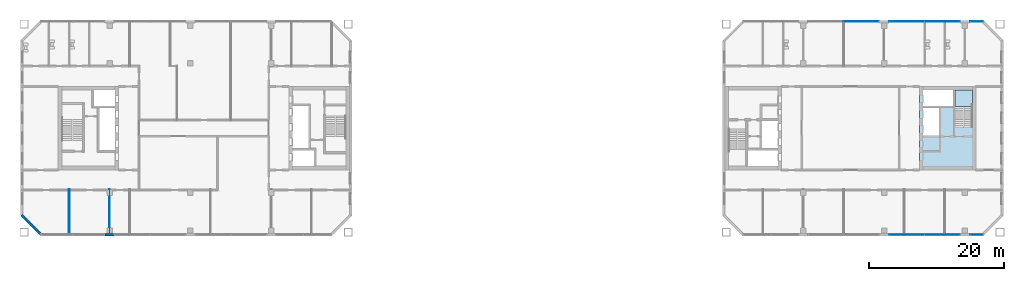
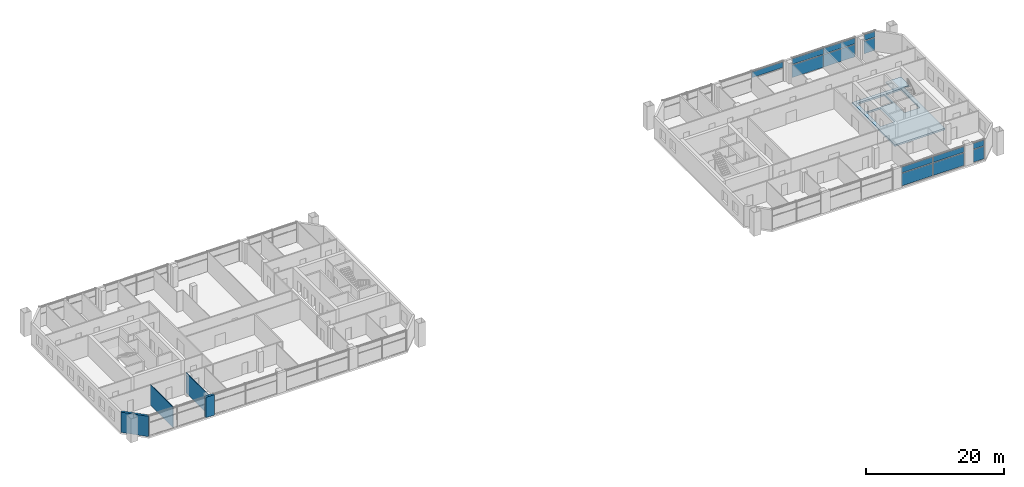
# One storey, part 8 of 17: 13 plates, 4 walls, 2 slabs, 6 elements without a shape of their own.
"""IFC4 building model written with IfcOpenShell, lengths in metres."""

from ifc_helpers import new_model, si_unit, direction, frame, frame_2d, origin, origin_2d, place, context, subcontext, project, spatial, polyline, rectangle, outline, extrude, material, layer, layer_set, type_object, element, aggregate, save


model = new_model("IFC4")

# Units and contexts
model_context = context("Model", 3, precision=1e-05, world=origin(), true_north=direction((0.0, 1.0)))
body_context = subcontext(model_context, "Body", "Model", "MODEL_VIEW")
ifc_project = project(units=[si_unit("LENGTHUNIT", "METRE"), si_unit("AREAUNIT", "SQUARE_METRE"), si_unit("VOLUMEUNIT", "CUBIC_METRE"), si_unit("PLANEANGLEUNIT", "RADIAN"), si_unit("MASSUNIT", "GRAM", prefix="KILO")], contexts=[model_context])

# Site, building, storey
site_placement = place(None, origin())
site = spatial("IfcSite", under=ifc_project, at=site_placement, CompositionType="ELEMENT")
building_placement = place(site_placement, origin())
building = spatial("IfcBuilding", under=site, at=building_placement, Name="Tuart Gate Housing", CompositionType="ELEMENT")
storey_placement = place(building_placement, frame((0.0, 0.0, 119.5)))
storey = spatial("IfcBuildingStorey", under=building, at=storey_placement, Name="L33", CompositionType="ELEMENT", Elevation=119.5)

# Slab
ifc_material_1 = material(Name="Concrete C40", Category="concrete")
ifc_layer_1 = layer(ifc_material_1, 0.300048828125)
ifc_layer_set_1 = layer_set([ifc_layer_1], Name="Core floor slab 300")
slab_type_1 = type_object("IfcSlabType", Name="Core floor slab 300", PredefinedType="FLOOR", material=ifc_layer_set_1)
slab_1_placement = place(storey_placement, frame((0.0, 0.0, -0.300048828125)))
element("IfcSlab", 1, at=slab_1_placement, inside=storey, type_object=slab_type_1, Name="Core floor BK", PredefinedType="FLOOR", context=body_context, shape_type="SweptSolid", body=[
    extrude(outline(polyline([(160.239990234375, 63.800048828125), (168.639892578125, 63.800048828125), (168.639892578125, 76.199951171875), (160.239990234375, 76.199951171875), (160.239990234375, 63.800048828125)]), holes=[polyline([(160.7900390625, 73.14990234375), (165.264892578125, 73.14990234375), (165.264892578125, 75.64990234375), (160.7900390625, 75.64990234375), (160.7900390625, 73.14990234375)]), polyline([(160.7900390625, 68.875), (163.1650390625, 68.875), (163.1650390625, 73.02490234375), (160.7900390625, 73.02490234375), (160.7900390625, 68.875)]), polyline([(165.514892578125, 70.14501953125), (168.090087890625, 70.14501953125), (168.090087890625, 75.64990234375), (165.514892578125, 75.64990234375), (165.514892578125, 70.14501953125)])]), origin(), (0.0, 0.0, 1.0), 0.300048828125),
])

# Curtain wall, plates
ifc_material_2 = material(Name="Aluminium and clear glass", Category="aluminium")
curtain_wall_type = type_object("IfcCurtainWallType", Name="Community floor glazing", PredefinedType="USERDEFINED", material=ifc_material_2)
curtain_wall_1_placement = place(storey_placement, origin())
curtain_wall_1 = element("IfcCurtainWall", 2, at=curtain_wall_1_placement, inside=storey, type_object=curtain_wall_type, Name="Community floor glazing B-S L33", ObjectType="COMMUNITY FLOOR GLAZING", PredefinedType="USERDEFINED")
ifc_material_3 = material(Name="Clear glass", Category="glass")
ifc_layer_2 = layer(ifc_material_3, 0.028076171875)
ifc_layer_set_2 = layer_set([ifc_layer_2], Name="Glazed panel 28")
plate_type_1 = type_object("IfcPlateType", Name="Glazed panel 28", PredefinedType="CURTAIN_PANEL", material=ifc_layer_set_2)
plate_1_placement = place(storey_placement, frame((158.364990234375, 54.179931640625, 0.1201171875), z_axis=(0.0, 0.0, 1.0), x_axis=(1.0, 0.0, 0.0)))
plate_1 = element("IfcPlate", 3, at=plate_1_placement, type_object=plate_type_1, Name="CW3 panel 1.1", PredefinedType="CURTAIN_PANEL", context=body_context, shape_type="SweptSolid", body=[
    extrude(rectangle(XDim=5.2099609375, YDim=0.028076171875, at=origin_2d()), origin(), (0.0, 0.0, 1.0), 2.219970703125),
])
plate_2_placement = place(storey_placement, frame((158.364990234375, 54.179931640625, 2.4599609375), z_axis=(0.0, 0.0, 1.0), x_axis=(1.0, 0.0, 0.0)))
plate_2 = element("IfcPlate", 4, at=plate_2_placement, type_object=plate_type_1, Name="CW3 panel 1.2", PredefinedType="CURTAIN_PANEL", context=body_context, shape_type="SweptSolid", body=[
    extrude(rectangle(XDim=5.2099609375, YDim=0.028076171875, at=origin_2d()), origin(), (0.0, 0.0, 1.0), 1.02001953125),
])
plate_3_placement = place(storey_placement, frame((163.635009765625, 54.179931640625, 0.1201171875), z_axis=(0.0, 0.0, 1.0), x_axis=(1.0, 0.0, 0.0)))
plate_3 = element("IfcPlate", 5, at=plate_3_placement, type_object=plate_type_1, Name="CW3 panel 2.1", PredefinedType="CURTAIN_PANEL", context=body_context, shape_type="SweptSolid", body=[
    extrude(rectangle(XDim=5.2099609375, YDim=0.028076171875, at=origin_2d()), origin(), (0.0, 0.0, 1.0), 2.219970703125),
])
plate_4_placement = place(storey_placement, frame((163.635009765625, 54.179931640625, 2.4599609375), z_axis=(0.0, 0.0, 1.0), x_axis=(1.0, 0.0, 0.0)))
plate_4 = element("IfcPlate", 6, at=plate_4_placement, type_object=plate_type_1, Name="CW3 panel 2.2", PredefinedType="CURTAIN_PANEL", context=body_context, shape_type="SweptSolid", body=[
    extrude(rectangle(XDim=5.2099609375, YDim=0.028076171875, at=origin_2d()), origin(), (0.0, 0.0, 1.0), 1.02001953125),
])
aggregate(curtain_wall_1, [plate_1, plate_2, plate_3, plate_4])

# Curtain wall, plate
curtain_wall_2_placement = place(storey_placement, origin())
curtain_wall_2 = element("IfcCurtainWall", 7, at=curtain_wall_2_placement, inside=storey, type_object=curtain_wall_type, Name="Community floor glazing B-S L33", ObjectType="COMMUNITY FLOOR GLAZING", PredefinedType="USERDEFINED")
plate_5_placement = place(storey_placement, frame((168.687744140625, 54.179931640625, 0.1201171875), z_axis=(0.0, 0.0, 1.0), x_axis=(1.0, 0.0, 0.0)))
plate_5 = element("IfcPlate", 8, at=plate_5_placement, type_object=plate_type_1, Name="CW3 panel 1.1", PredefinedType="CURTAIN_PANEL", context=body_context, shape_type="SweptSolid", body=[
    extrude(rectangle(XDim=1.85546875, YDim=0.028076171875, at=origin_2d()), origin(), (0.0, 0.0, 1.0), 2.219970703125),
])

curtain_wall_3_placement = place(storey_placement, origin())
curtain_wall_3 = element("IfcCurtainWall", 9, at=curtain_wall_3_placement, inside=storey, type_object=curtain_wall_type, Name="Community floor glazing B-N L33", ObjectType="COMMUNITY FLOOR GLAZING", PredefinedType="USERDEFINED")
plate_6_placement = place(storey_placement, frame((168.687744140625, 85.820068359375, 0.1201171875), z_axis=(0.0, 0.0, 1.0), x_axis=(-1.0, 0.0, 0.0)))
plate_6 = element("IfcPlate", 10, at=plate_6_placement, type_object=plate_type_1, Name="CW3 panel 1.1", PredefinedType="CURTAIN_PANEL", context=body_context, shape_type="SweptSolid", body=[
    extrude(rectangle(XDim=1.85546875, YDim=0.028076171875, at=origin_2d()), origin(), (0.0, 0.0, 1.0), 2.219970703125),
])

# Curtain wall, plates
curtain_wall_4_placement = place(storey_placement, origin())
curtain_wall_4 = element("IfcCurtainWall", 11, at=curtain_wall_4_placement, inside=storey, type_object=curtain_wall_type, Name="Community floor glazing B-N L33", ObjectType="COMMUNITY FLOOR GLAZING", PredefinedType="USERDEFINED")
plate_7_placement = place(storey_placement, frame((163.635009765625, 85.820068359375, 0.1201171875), z_axis=(0.0, 0.0, 1.0), x_axis=(-1.0, 0.0, 0.0)))
plate_7 = element("IfcPlate", 12, at=plate_7_placement, type_object=plate_type_1, Name="CW3 panel 1.1", PredefinedType="CURTAIN_PANEL", context=body_context, shape_type="SweptSolid", body=[
    extrude(rectangle(XDim=5.2099609375, YDim=0.028076171875, at=origin_2d()), origin(), (0.0, 0.0, 1.0), 2.219970703125),
])
plate_8_placement = place(storey_placement, frame((163.635009765625, 85.820068359375, 2.4599609375), z_axis=(0.0, 0.0, 1.0), x_axis=(-1.0, 0.0, 0.0)))
plate_8 = element("IfcPlate", 13, at=plate_8_placement, type_object=plate_type_1, Name="CW3 panel 1.2", PredefinedType="CURTAIN_PANEL", context=body_context, shape_type="SweptSolid", body=[
    extrude(rectangle(XDim=5.2099609375, YDim=0.028076171875, at=origin_2d()), origin(), (0.0, 0.0, 1.0), 1.02001953125),
])
plate_9_placement = place(storey_placement, frame((158.364990234375, 85.820068359375, 0.1201171875), z_axis=(0.0, 0.0, 1.0), x_axis=(-1.0, 0.0, 0.0)))
plate_9 = element("IfcPlate", 14, at=plate_9_placement, type_object=plate_type_1, Name="CW3 panel 2.1", PredefinedType="CURTAIN_PANEL", context=body_context, shape_type="SweptSolid", body=[
    extrude(rectangle(XDim=5.2099609375, YDim=0.028076171875, at=origin_2d()), origin(), (0.0, 0.0, 1.0), 2.219970703125),
])
plate_10_placement = place(storey_placement, frame((158.364990234375, 85.820068359375, 2.4599609375), z_axis=(0.0, 0.0, 1.0), x_axis=(-1.0, 0.0, 0.0)))
plate_10 = element("IfcPlate", 15, at=plate_10_placement, type_object=plate_type_1, Name="CW3 panel 2.2", PredefinedType="CURTAIN_PANEL", context=body_context, shape_type="SweptSolid", body=[
    extrude(rectangle(XDim=5.2099609375, YDim=0.028076171875, at=origin_2d()), origin(), (0.0, 0.0, 1.0), 1.02001953125),
])
aggregate(curtain_wall_4, [plate_7, plate_8, plate_9, plate_10])

# Curtain wall, plate
curtain_wall_5_placement = place(storey_placement, origin())
curtain_wall_5 = element("IfcCurtainWall", 16, at=curtain_wall_5_placement, inside=storey, type_object=curtain_wall_type, Name="Community floor glazing B-N L33", ObjectType="COMMUNITY FLOOR GLAZING", PredefinedType="USERDEFINED")
plate_11_placement = place(storey_placement, frame((151.635009765625, 85.820068359375, 2.4599609375), z_axis=(0.0, 0.0, 1.0), x_axis=(-1.0, 0.0, 0.0)))
plate_11 = element("IfcPlate", 17, at=plate_11_placement, type_object=plate_type_1, Name="CW3 panel 1.2", PredefinedType="CURTAIN_PANEL", context=body_context, shape_type="SweptSolid", body=[
    extrude(rectangle(XDim=5.2099609375, YDim=0.028076171875, at=origin_2d()), origin(), (0.0, 0.0, 1.0), 1.02001953125),
])
aggregate(curtain_wall_5, [plate_11])

# Plate
ifc_material_4 = material(Name="Insulated aluminium panel", Category="aluminium")
ifc_layer_3 = layer(ifc_material_4, 0.028076171875)
ifc_layer_set_3 = layer_set([ifc_layer_3], Name="Insulated opaque panel 28")
plate_type_2 = type_object("IfcPlateType", Name="Insulated opaque panel 28", PredefinedType="CURTAIN_PANEL", material=ifc_layer_set_3)
plate_12_placement = place(storey_placement, frame((168.687744140625, 54.179931640625, 2.4599609375), z_axis=(0.0, 0.0, 1.0), x_axis=(1.0, 0.0, 0.0)))
plate_12 = element("IfcPlate", 18, at=plate_12_placement, type_object=plate_type_2, Name="CW3 opaque panel 1.2", PredefinedType="CURTAIN_PANEL", context=body_context, shape_type="SweptSolid", body=[
    extrude(rectangle(XDim=1.85546875, YDim=0.028076171875, at=origin_2d()), origin(), (0.0, 0.0, 1.0), 1.02001953125),
])

aggregate(curtain_wall_2, [plate_5, plate_12])

plate_13_placement = place(storey_placement, frame((168.687744140625, 85.820068359375, 2.4599609375), z_axis=(0.0, 0.0, 1.0), x_axis=(-1.0, 0.0, 0.0)))
plate_13 = element("IfcPlate", 19, at=plate_13_placement, type_object=plate_type_2, Name="CW3 opaque panel 1.2", PredefinedType="CURTAIN_PANEL", context=body_context, shape_type="SweptSolid", body=[
    extrude(rectangle(XDim=1.85546875, YDim=0.028076171875, at=origin_2d()), origin(), (0.0, 0.0, 1.0), 1.02001953125),
])

aggregate(curtain_wall_3, [plate_6, plate_13])

# Stair, slab
ifc_material_5 = material(Name="Concrete C40", Category="concrete")
stair_type = type_object("IfcStairType", Name="Core stair 1250", PredefinedType="HALF_TURN_STAIR", material=ifc_material_5)
stair_placement = place(storey_placement, origin())
stair = element("IfcStair", 20, at=stair_placement, inside=storey, type_object=stair_type, Name="Stair SB2", PredefinedType="HALF_TURN_STAIR")
ifc_material_6 = material(Name="Concrete C40", Category="concrete")
ifc_layer_4 = layer(ifc_material_6, 0.199951171875)
ifc_layer_set_4 = layer_set([ifc_layer_4], Name="Stair landing 200")
slab_type_2 = type_object("IfcSlabType", Name="Stair landing 200", PredefinedType="LANDING", material=ifc_layer_set_4)
slab_2_placement = place(storey_placement, frame((0.0, 0.0, 1.89990234375)))
slab_2 = element("IfcSlab", 21, at=slab_2_placement, type_object=slab_type_2, Name="SB2 landing 1", PredefinedType="LANDING", context=body_context, shape_type="SweptSolid", body=[
    extrude(outline(polyline([(165.514892578125, 73.205078125), (168.090087890625, 73.205078125), (168.090087890625, 75.64990234375), (165.514892578125, 75.64990234375), (165.514892578125, 73.205078125)])), origin(), (0.0, 0.0, 1.0), 0.2001953125),
])
aggregate(stair, [slab_2])

# Walls
ifc_material_7 = material(Name="Brick", Category="masonry")
ifc_layer_5 = layer(ifc_material_7, 0.360107421875)
ifc_layer_set_5 = layer_set([ifc_layer_5], Name="Brick pier and spandrel wall 360")
wall_type_1 = type_object("IfcWallType", Name="Brick pier and spandrel wall 360", PredefinedType="STANDARD", material=ifc_layer_set_5)
wall_1_placement = place(storey_placement, frame((26.929931640625, 57.07470703125, 0.0), z_axis=(0.0, 0.0, 1.0), x_axis=(0.707106781187, -0.707106781187, 0.0)))
element("IfcWall", 22, at=wall_1_placement, inside=storey, type_object=wall_type_1, Name="External wall A-SW L33", PredefinedType="STANDARD", context=body_context, shape_type="SweptSolid", body=[
    extrude(rectangle(XDim=4.09375, YDim=0.360107421875, at=frame_2d((2.046875, 0.0))), origin(), (0.0, 0.0, 1.0), 3.60009765625),
])
wall_2_placement = place(storey_placement, frame((39.300048828125, 54.179931640625, 0.0), z_axis=(0.0, 0.0, 1.0), x_axis=(1.0, 0.0, 0.0)))
element("IfcWall", 23, at=wall_2_placement, inside=storey, type_object=wall_type_1, Name="External wall A-S L33", PredefinedType="STANDARD", context=body_context, shape_type="SweptSolid", body=[
    extrude(rectangle(XDim=1.39990234375, YDim=0.360107421875, at=frame_2d((0.699951171875, 0.0))), origin(), (0.0, 0.0, 1.0), 3.60009765625),
])
ifc_material_8 = material(Name="Gypsum board on steel studs", Category="steel")
ifc_layer_6 = layer(ifc_material_8, 0.10009765625)
ifc_layer_set_6 = layer_set([ifc_layer_6], Name="Partition 100")
wall_type_2 = type_object("IfcWallType", Name="Partition 100", PredefinedType="PARTITIONING", material=ifc_layer_set_6)
for number, where, z_axis, x_axis, name in (
    (24, (34.0, 54.239990234375, 0.0), (0.0, 0.0, 1.0), (0.0, 1.0, 0.0), "Partition 100"),
    (25, (40.0, 54.239990234375, 0.0), (0.0, 0.0, 1.0), (0.0, 1.0, 0.0), "Partition 100"),
):
    element("IfcWall", number, at=place(storey_placement, frame(where, z_axis=z_axis, x_axis=x_axis)), inside=storey, type_object=wall_type_2, Name=name, PredefinedType="PARTITIONING", context=body_context, shape_type="SweptSolid", body=[
        extrude(rectangle(XDim=6.659912109375, YDim=0.10009765625, at=frame_2d((3.330078125, 0.0))), origin(), (0.0, 0.0, 1.0), 3.60009765625),
    ])

save(model, "model.ifc")
